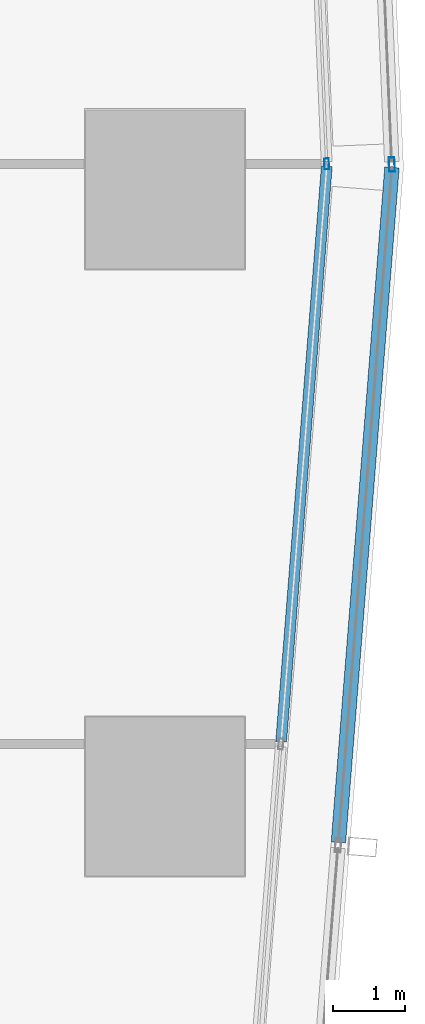
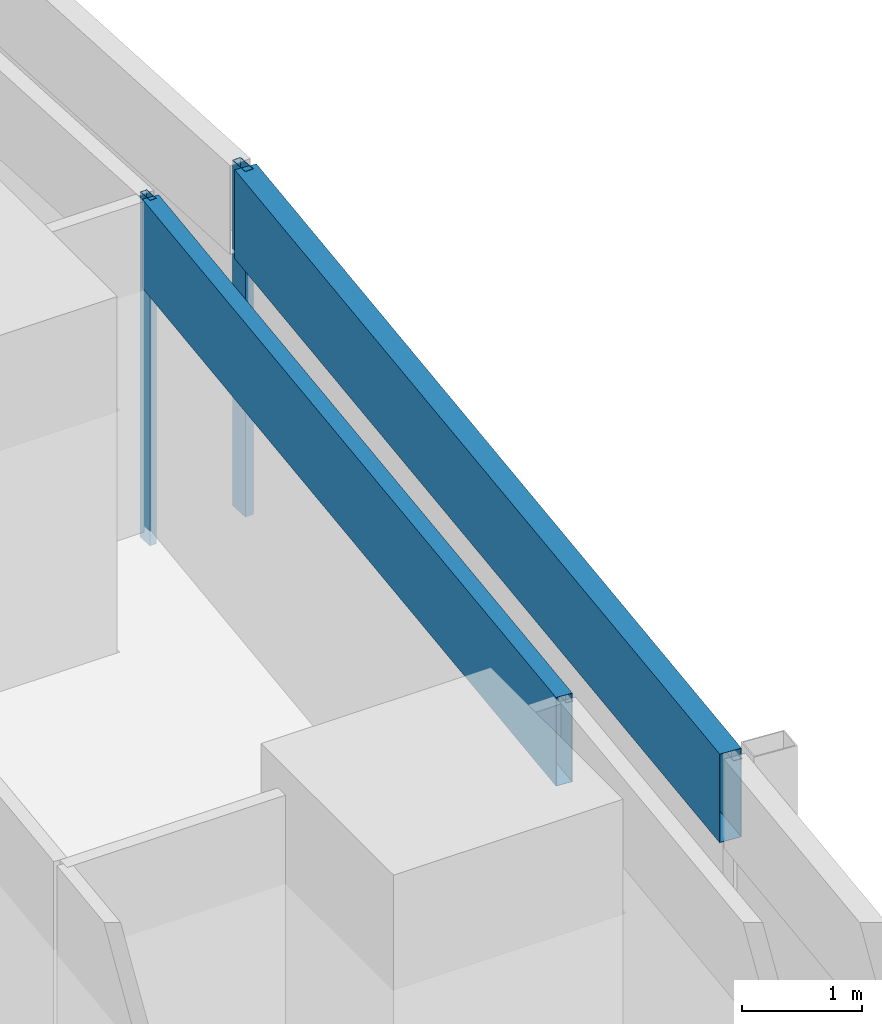
# One storey, part 26 of 44: 4 members, 4 elements without a shape of their own.
"""IFC4 building model written with IfcOpenShell, lengths in metres."""

from ifc_helpers import new_model, si_unit, direction, frame, origin, origin_2d, place, context, subcontext, project, spatial, hollow_rectangle, extrude, material, material_profile, profile_set, type_object, element, aggregate, save


model = new_model("IFC4")

# Units and contexts
model_context = context("Model", 3, precision=1e-05, world=origin(), true_north=direction((0.0, 1.0)))
body_context = subcontext(model_context, "Body", "Model", "MODEL_VIEW")
ifc_project = project(units=[si_unit("LENGTHUNIT", "METRE"), si_unit("AREAUNIT", "SQUARE_METRE"), si_unit("VOLUMEUNIT", "CUBIC_METRE"), si_unit("PLANEANGLEUNIT", "RADIAN"), si_unit("MASSUNIT", "GRAM", prefix="KILO")], contexts=[model_context])

# Site, building, storey
site_placement = place(None, origin())
site = spatial("IfcSite", under=ifc_project, at=site_placement, CompositionType="ELEMENT")
building_placement = place(site_placement, origin())
building = spatial("IfcBuilding", under=site, at=building_placement, Name="Rekha Terrace Tower", CompositionType="ELEMENT")
storey_placement = place(building_placement, frame((0.0, 0.0, 47.89990234375)))
storey = spatial("IfcBuildingStorey", under=building, at=storey_placement, Name="L11", CompositionType="ELEMENT", Elevation=47.89990234375)

# Curtain wall, member
ifc_material_1 = material(Name="Aluminium framing", Category="aluminium")
curtain_wall_type_1 = type_object("IfcCurtainWallType", Name="CW1 double skin inner glazing", PredefinedType="USERDEFINED", material=ifc_material_1)
curtain_wall_1_placement = place(storey_placement, origin())
curtain_wall_1 = element("IfcCurtainWall", 1, at=curtain_wall_1_placement, inside=storey, type_object=curtain_wall_type_1, Name="CW1 double skin inner glazing", ObjectType="DOUBLE SKIN INNER GLAZING", PredefinedType="USERDEFINED")
ifc_material_2 = material(Name="Aluminium mullion section", Category="aluminium")
ifc_material_profile_1 = material_profile(ifc_material_2, hollow_rectangle(XDim=0.06494140625, YDim=0.14990234375, WallThickness=0.00390625, at=origin_2d()), Name="AL RHS 65x150")
ifc_profile_set_1 = profile_set([ifc_material_profile_1], Name="Aluminium mullion section")
member_type_1 = type_object("IfcMemberType", Name="CW1 mullion RHS 65 x 150", PredefinedType="MULLION", material=ifc_profile_set_1)
member_1_placement = place(storey_placement, frame((69.436767578125, 25.5517578125, 0.0), z_axis=(0.0, 0.0, 1.0), x_axis=(-0.999088106904, -0.042696072921, 0.0)))
member_1 = element("IfcMember", 2, at=member_1_placement, type_object=member_type_1, Name="CW1 mullion 1", PredefinedType="MULLION", context=body_context, shape_type="SweptSolid", body=[
    extrude(hollow_rectangle(XDim=0.06494140625, YDim=0.14990234375, WallThickness=0.00390625, at=origin_2d()), origin(), (0.0, 0.0, 1.0), 3.5),
])
aggregate(curtain_wall_1, [member_1])

curtain_wall_2_placement = place(storey_placement, origin())
curtain_wall_2 = element("IfcCurtainWall", 3, at=curtain_wall_2_placement, inside=storey, type_object=curtain_wall_type_1, Name="CW1 double skin inner glazing", ObjectType="DOUBLE SKIN INNER GLAZING", PredefinedType="USERDEFINED")
ifc_material_3 = material(Name="Insulated aluminium spandrel box", Category="aluminium")
ifc_material_profile_2 = material_profile(ifc_material_3, hollow_rectangle(XDim=0.14990234375, YDim=0.89990234375, WallThickness=0.0029296875, at=origin_2d()), Name="AL SPANDREL BOX 150x900")
ifc_profile_set_2 = profile_set([ifc_material_profile_2], Name="Insulated aluminium spandrel box")
member_type_2 = type_object("IfcMemberType", Name="CW1 spandrel transom 150 x 900", PredefinedType="USERDEFINED", material=ifc_profile_set_2)
member_2_placement = place(storey_placement, frame((68.80615234375, 17.555908203125, 3.050048828125), z_axis=(0.07912449621, 0.996864742129, 0.0), x_axis=(-0.996864742129, 0.07912449621, 0.0)))
member_2 = element("IfcMember", 4, at=member_2_placement, type_object=member_type_2, Name="CW1 spandrel transom 2", ObjectType="TRANSOM", PredefinedType="USERDEFINED", context=body_context, shape_type="SweptSolid", body=[
    extrude(hollow_rectangle(XDim=0.14990234375, YDim=0.89990234375, WallThickness=0.0029296875, at=origin_2d()), origin(), (0.0, 0.0, 1.0), 7.988525390625),
])
aggregate(curtain_wall_2, [member_2])

curtain_wall_type_2 = type_object("IfcCurtainWallType", Name="CW2 double skin outer glazing", PredefinedType="USERDEFINED", material=ifc_material_1)
curtain_wall_3_placement = place(storey_placement, origin())
curtain_wall_3 = element("IfcCurtainWall", 5, at=curtain_wall_3_placement, inside=storey, type_object=curtain_wall_type_2, Name="CW2 double skin outer glazing", ObjectType="DOUBLE SKIN OUTER GLAZING", PredefinedType="USERDEFINED")
ifc_material_profile_3 = material_profile(ifc_material_2, hollow_rectangle(XDim=0.080078125, YDim=0.199951171875, WallThickness=0.00390625, at=origin_2d()), Name="AL RHS 80x200")
ifc_profile_set_3 = profile_set([ifc_material_profile_3], Name="Aluminium mullion section")
member_type_3 = type_object("IfcMemberType", Name="CW2 mullion RHS 80 x 200", PredefinedType="MULLION", material=ifc_profile_set_3)
member_3_placement = place(storey_placement, frame((70.338134765625, 25.54296875, 0.0), z_axis=(0.0, 0.0, 1.0), x_axis=(-0.999088106903, -0.042696072956, 0.0)))
member_3 = element("IfcMember", 6, at=member_3_placement, type_object=member_type_3, Name="CW2 mullion 1", PredefinedType="MULLION", context=body_context, shape_type="SweptSolid", body=[
    extrude(hollow_rectangle(XDim=0.080078125, YDim=0.199951171875, WallThickness=0.00390625, at=origin_2d()), origin(), (0.0, 0.0, 1.0), 3.5),
])
aggregate(curtain_wall_3, [member_3])

curtain_wall_4_placement = place(storey_placement, origin())
curtain_wall_4 = element("IfcCurtainWall", 7, at=curtain_wall_4_placement, inside=storey, type_object=curtain_wall_type_2, Name="CW2 double skin outer glazing", ObjectType="DOUBLE SKIN OUTER GLAZING", PredefinedType="USERDEFINED")
ifc_material_profile_4 = material_profile(ifc_material_3, hollow_rectangle(XDim=0.199951171875, YDim=0.89990234375, WallThickness=0.0029296875, at=origin_2d()), Name="AL SPANDREL BOX 200x900")
ifc_profile_set_4 = profile_set([ifc_material_profile_4], Name="Insulated aluminium spandrel box")
member_type_4 = type_object("IfcMemberType", Name="CW2 spandrel transom 200 x 900", PredefinedType="USERDEFINED", material=ifc_profile_set_4)
member_4_placement = place(storey_placement, frame((69.5986328125, 16.16552734375, 3.050048828125), z_axis=(0.079131924046, 0.996864152529, 0.0), x_axis=(-0.996864152529, 0.079131924046, 0.0)))
member_4 = element("IfcMember", 8, at=member_4_placement, type_object=member_type_4, Name="CW2 spandrel transom 2", ObjectType="TRANSOM", PredefinedType="USERDEFINED", context=body_context, shape_type="SweptSolid", body=[
    extrude(hollow_rectangle(XDim=0.199951171875, YDim=0.89990234375, WallThickness=0.0029296875, at=origin_2d()), origin(), (0.0, 0.0, 1.0), 9.36669921875),
])
aggregate(curtain_wall_4, [member_4])

save(model, "model.ifc")
